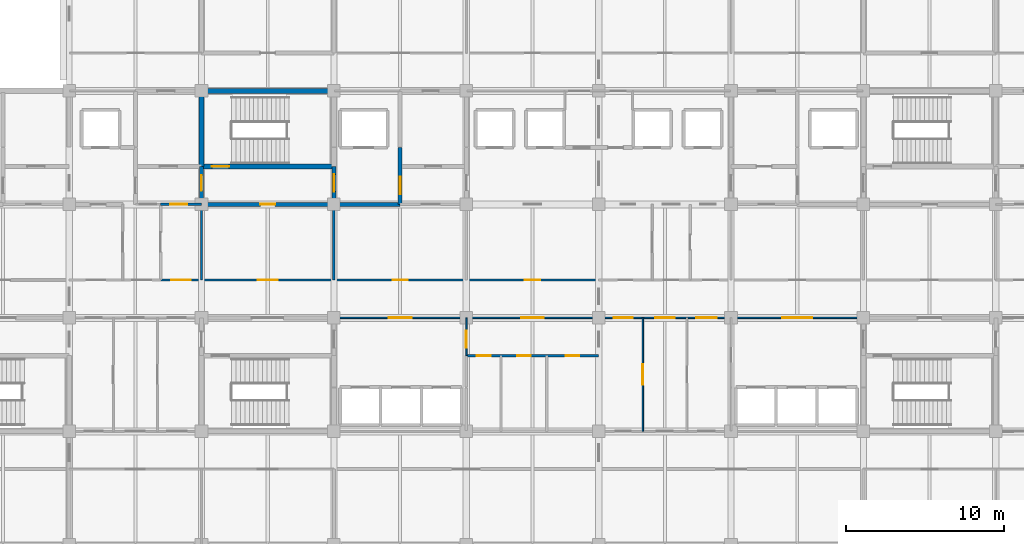
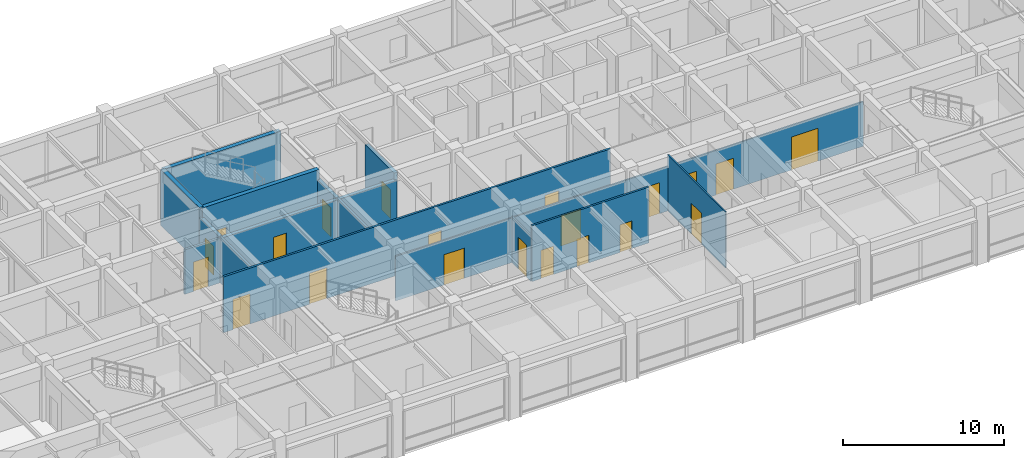
# One storey, part 19 of 30: 21 doors, 15 walls, 21 openings.
"""IFC4 building model written with IfcOpenShell, lengths in metres."""

from ifc_helpers import new_model, si_unit, direction, frame, frame_2d, origin, place, context, subcontext, project, spatial, rectangle, extrude, material, layer, layer_set, type_object, element, fill, save


model = new_model("IFC4")

# Units and contexts
model_context = context("Model", 3, precision=1e-05, world=origin(), true_north=direction((0.0, 1.0)))
body_context = subcontext(model_context, "Body", "Model", "MODEL_VIEW")
ifc_project = project(units=[si_unit("LENGTHUNIT", "METRE"), si_unit("AREAUNIT", "SQUARE_METRE"), si_unit("VOLUMEUNIT", "CUBIC_METRE"), si_unit("PLANEANGLEUNIT", "RADIAN"), si_unit("MASSUNIT", "GRAM", prefix="KILO")], contexts=[model_context])

# Site, building, storey
site_placement = place(None, origin())
site = spatial("IfcSite", under=ifc_project, at=site_placement, CompositionType="ELEMENT")
building_placement = place(site_placement, origin())
building = spatial("IfcBuilding", under=site, at=building_placement, Name="Chengyuan Square Courthouse", CompositionType="ELEMENT")
storey_placement = place(building_placement, frame((0.0, 0.0, 30.60009765625)))
storey = spatial("IfcBuildingStorey", under=building, at=storey_placement, Name="L07", CompositionType="ELEMENT", Elevation=30.60009765625)

# Wall, opening, door
ifc_material_1 = material(Name="Concrete C40", Category="concrete")
ifc_layer_1 = layer(ifc_material_1, 0.25)
ifc_layer_set_1 = layer_set([ifc_layer_1], Name="Concrete C40")
wall_type_1 = type_object("IfcWallType", Name="WL-FW1", PredefinedType="STANDARD", material=ifc_layer_set_1)
wall_1_placement = place(storey_placement, frame((58.800048828125, 100.800048828125, 0.0), z_axis=(0.0, 0.0, 1.0), x_axis=(1.0, 0.0, 0.0)))
wall_1 = element("IfcWall", 1, at=wall_1_placement, inside=storey, type_object=wall_type_1, Name="Interior Wall WL-L07-I2674", PredefinedType="STANDARD", context=body_context, shape_type="SweptSolid", body=[
    extrude(rectangle(XDim=12.599853515625, YDim=0.25, at=frame_2d((6.2998046875, 0.0))), origin(), (0.0, 0.0, 1.0), 3.389892578125),
])
opening_1_placement = place(wall_1_placement, frame((3.72509765625, 0.0, 0.0)))
opening_1 = element("IfcOpeningElement", 2, at=opening_1_placement, cuts=wall_1, Name="Opening DR-2311", PredefinedType="OPENING", context=body_context, shape_type="SweptSolid", body=[
    extrude(rectangle(XDim=0.949951171875, YDim=2.14990234375, at=frame_2d((0.47509765625, 1.074951171875))), frame((0.0, 0.136962890625, 0.0), z_axis=(0.0, -1.0, 0.0), x_axis=(1.0, 0.0, 0.0)), (0.0, 0.0, 1.0), 0.27392578125),
])
ifc_material_2 = material(Name="Steel Q235B Fire Door", Category="steel")
door_type_1 = type_object("IfcDoorType", Name="DT-12", OperationType="NOTDEFINED", PredefinedType="DOOR", material=ifc_material_2)
door_1_placement = place(opening_1_placement, origin())
door_1 = element("IfcDoor", 3, at=door_1_placement, inside=storey, type_object=door_type_1, Name="Interior Door DR-2311", OperationType="SINGLE_SWING_RIGHT", OverallHeight=2.14990234375, OverallWidth=0.949951171875, PredefinedType="DOOR", context=body_context, shape_type="SweptSolid", body=[
    extrude(rectangle(XDim=0.949951171875, YDim=2.14990234375, at=frame_2d((0.47509765625, 1.074951171875))), frame((0.0, 0.02490234375, 0.0), z_axis=(0.0, -1.0, 0.0), x_axis=(1.0, 0.0, 0.0)), (0.0, 0.0, 1.0), 0.050048828125),
])
fill(opening_1, door_1)

wall_2_placement = place(storey_placement, frame((58.800048828125, 100.800048828125, 0.0), z_axis=(0.0, 0.0, 1.0), x_axis=(0.0, 1.0, 0.0)))
wall_2 = element("IfcWall", 4, at=wall_2_placement, inside=storey, type_object=wall_type_1, Name="Interior Wall WL-L07-I2770", PredefinedType="STANDARD", context=body_context, shape_type="SweptSolid", body=[
    extrude(rectangle(XDim=2.39990234375, YDim=0.25, at=frame_2d((1.199951171875, 0.0))), origin(), (0.0, 0.0, 1.0), 3.489990234375),
])
opening_2_placement = place(wall_2_placement, frame((0.860107421875, 0.0, 0.0)))
opening_2 = element("IfcOpeningElement", 5, at=opening_2_placement, cuts=wall_2, Name="Opening DR-2310", PredefinedType="OPENING", context=body_context, shape_type="SweptSolid", body=[
    extrude(rectangle(XDim=1.0, YDim=2.199951171875, at=frame_2d((0.5, 1.10009765625))), frame((0.0, 0.136962890625, 0.0), z_axis=(0.0, -1.0, 0.0), x_axis=(1.0, 0.0, 0.0)), (0.0, 0.0, 1.0), 0.27392578125),
])
door_type_2 = type_object("IfcDoorType", Name="DT-11", OperationType="NOTDEFINED", PredefinedType="DOOR", material=ifc_material_2)
door_2_placement = place(opening_2_placement, origin())
door_2 = element("IfcDoor", 6, at=door_2_placement, inside=storey, type_object=door_type_2, Name="Interior Door DR-2310", OperationType="SINGLE_SWING_LEFT", OverallHeight=2.199951171875, OverallWidth=1.0, PredefinedType="DOOR", context=body_context, shape_type="SweptSolid", body=[
    extrude(rectangle(XDim=1.0, YDim=2.199951171875, at=frame_2d((0.5, 1.10009765625))), frame((0.0, 0.02490234375, 0.0), z_axis=(0.0, -1.0, 0.0), x_axis=(1.0, 0.0, 0.0)), (0.0, 0.0, 1.0), 0.050048828125),
])
fill(opening_2, door_2)

wall_3_placement = place(storey_placement, frame((67.199951171875, 100.800048828125, 0.0), z_axis=(0.0, 0.0, 1.0), x_axis=(0.0, 1.0, 0.0)))
wall_3 = element("IfcWall", 7, at=wall_3_placement, inside=storey, type_object=wall_type_1, Name="Interior Wall WL-L07-I2778", PredefinedType="STANDARD", context=body_context, shape_type="SweptSolid", body=[
    extrude(rectangle(XDim=2.39990234375, YDim=0.25, at=frame_2d((1.199951171875, 0.0))), origin(), (0.0, 0.0, 1.0), 3.489990234375),
])
opening_3_placement = place(wall_3_placement, frame((0.81005859375, 0.0, 0.0)))
opening_3 = element("IfcOpeningElement", 8, at=opening_3_placement, cuts=wall_3, Name="Opening DR-2309", PredefinedType="OPENING", context=body_context, shape_type="SweptSolid", body=[
    extrude(rectangle(XDim=1.10009765625, YDim=2.199951171875, at=frame_2d((0.550048828125, 1.10009765625))), frame((0.0, 0.136962890625, 0.0), z_axis=(0.0, -1.0, 0.0), x_axis=(1.0, 0.0, 0.0)), (0.0, 0.0, 1.0), 0.27392578125),
])
door_type_3 = type_object("IfcDoorType", Name="DT-10", OperationType="NOTDEFINED", PredefinedType="DOOR", material=ifc_material_2)
door_3_placement = place(opening_3_placement, origin())
door_3 = element("IfcDoor", 9, at=door_3_placement, inside=storey, type_object=door_type_3, Name="Interior Door DR-2309", OperationType="SINGLE_SWING_RIGHT", OverallHeight=2.199951171875, OverallWidth=1.10009765625, PredefinedType="DOOR", context=body_context, shape_type="SweptSolid", body=[
    extrude(rectangle(XDim=1.10009765625, YDim=2.199951171875, at=frame_2d((0.550048828125, 1.10009765625))), frame((0.0, 0.02490234375, 0.0), z_axis=(0.0, -1.0, 0.0), x_axis=(1.0, 0.0, 0.0)), (0.0, 0.0, 1.0), 0.050048828125),
])
fill(opening_3, door_3)

wall_4_placement = place(storey_placement, frame((71.39990234375, 100.800048828125, 0.0), z_axis=(0.0, 0.0, 1.0), x_axis=(0.0, 1.0, 0.0)))
wall_4 = element("IfcWall", 10, at=wall_4_placement, inside=storey, type_object=wall_type_1, Name="Interior Wall WL-L07-I2786", PredefinedType="STANDARD", context=body_context, shape_type="SweptSolid", body=[
    extrude(rectangle(XDim=3.599853515625, YDim=0.25, at=frame_2d((1.7998046875, 0.0))), origin(), (0.0, 0.0, 1.0), 3.889892578125),
])
opening_4_placement = place(wall_4_placement, frame((0.64990234375, 0.0, 0.0)))
opening_4 = element("IfcOpeningElement", 11, at=opening_4_placement, cuts=wall_4, Name="Opening DR-2327", PredefinedType="OPENING", context=body_context, shape_type="SweptSolid", body=[
    extrude(rectangle(XDim=1.10009765625, YDim=2.199951171875, at=frame_2d((0.550048828125, 1.10009765625))), frame((0.0, 0.136962890625, 0.0), z_axis=(0.0, -1.0, 0.0), x_axis=(1.0, 0.0, 0.0)), (0.0, 0.0, 1.0), 0.27392578125),
])
door_4_placement = place(opening_4_placement, origin())
door_4 = element("IfcDoor", 12, at=door_4_placement, inside=storey, type_object=door_type_3, Name="Interior Door DR-2327", OperationType="SINGLE_SWING_RIGHT", OverallHeight=2.199951171875, OverallWidth=1.10009765625, PredefinedType="DOOR", context=body_context, shape_type="SweptSolid", body=[
    extrude(rectangle(XDim=1.10009765625, YDim=2.199951171875, at=frame_2d((0.550048828125, 1.10009765625))), frame((0.0, 0.02490234375, 0.0), z_axis=(0.0, -1.0, 0.0), x_axis=(1.0, 0.0, 0.0)), (0.0, 0.0, 1.0), 0.050048828125),
])
fill(opening_4, door_4)

# Wall, openings, doors
ifc_material_3 = material(Name="Deliberation Room Sound-Insulated Partition")
ifc_layer_2 = layer(ifc_material_3, 0.14990234375)
ifc_layer_set_2 = layer_set([ifc_layer_2], Name="Deliberation Room Sound-Insulated Partition")
wall_type_2 = type_object("IfcWallType", Name="WL-PT3", PredefinedType="STANDARD", material=ifc_layer_set_2)
wall_5_placement = place(storey_placement, frame((56.199951171875, 96.0, 0.0), z_axis=(0.0, 0.0, 1.0), x_axis=(1.0, 0.0, 0.0)))
wall_5 = element("IfcWall", 13, at=wall_5_placement, inside=storey, type_object=wall_type_2, Name="Interior Wall WL-L07-I2660", PredefinedType="STANDARD", context=body_context, shape_type="SweptSolid", body=[
    extrude(rectangle(XDim=27.800048828125, YDim=0.14990234375, at=frame_2d((13.89990234375, 0.0))), origin(), (0.0, 0.0, 1.0), 4.239990234375),
])
opening_5_placement = place(wall_5_placement, frame((0.679931640625, 0.0, 0.0)))
opening_5 = element("IfcOpeningElement", 14, at=opening_5_placement, cuts=wall_5, Name="Opening DR-2400", PredefinedType="OPENING", context=body_context, shape_type="SweptSolid", body=[
    extrude(rectangle(XDim=1.239990234375, YDim=2.300048828125, at=frame_2d((0.6201171875, 1.14990234375))), frame((0.0, 0.0869140625, 0.0), z_axis=(0.0, -1.0, 0.0), x_axis=(1.0, 0.0, 0.0)), (0.0, 0.0, 1.0), 0.173828125),
])
opening_6_placement = place(wall_5_placement, frame((6.159912109375, 0.0, 0.0)))
opening_6 = element("IfcOpeningElement", 15, at=opening_6_placement, cuts=wall_5, Name="Opening DR-2401", PredefinedType="OPENING", context=body_context, shape_type="SweptSolid", body=[
    extrude(rectangle(XDim=1.280029296875, YDim=2.35009765625, at=frame_2d((0.64013671875, 1.175048828125))), frame((0.0, 0.0869140625, 0.0), z_axis=(0.0, -1.0, 0.0), x_axis=(1.0, 0.0, 0.0)), (0.0, 0.0, 1.0), 0.173828125),
])
opening_7_placement = place(wall_5_placement, frame((14.72998046875, 0.0, 0.0)))
opening_7 = element("IfcOpeningElement", 16, at=opening_7_placement, cuts=wall_5, Name="Opening DR-2402", PredefinedType="OPENING", context=body_context, shape_type="SweptSolid", body=[
    extrude(rectangle(XDim=0.93994140625, YDim=2.300048828125, at=frame_2d((0.469970703125, 1.14990234375))), frame((0.0, 0.0869140625, 0.0), z_axis=(0.0, -1.0, 0.0), x_axis=(1.0, 0.0, 0.0)), (0.0, 0.0, 1.0), 0.173828125),
])
opening_8_placement = place(wall_5_placement, frame((23.110107421875, 0.0, 0.0)))
opening_8 = element("IfcOpeningElement", 17, at=opening_8_placement, cuts=wall_5, Name="Opening DR-2403", PredefinedType="OPENING", context=body_context, shape_type="SweptSolid", body=[
    extrude(rectangle(XDim=0.97998046875, YDim=2.35009765625, at=frame_2d((0.489990234375, 1.175048828125))), frame((0.0, 0.0869140625, 0.0), z_axis=(0.0, -1.0, 0.0), x_axis=(1.0, 0.0, 0.0)), (0.0, 0.0, 1.0), 0.173828125),
])
ifc_material_4 = material(Name="Acoustic Solid-Core Timber Door", Category="wood")
door_type_4 = type_object("IfcDoorType", Name="DT-37", OperationType="NOTDEFINED", PredefinedType="DOOR", material=ifc_material_4)
door_5_placement = place(opening_5_placement, origin())
door_5 = element("IfcDoor", 18, at=door_5_placement, inside=storey, type_object=door_type_4, Name="Interior Door DR-2400", OperationType="SINGLE_SWING_RIGHT", OverallHeight=2.300048828125, OverallWidth=1.239990234375, PredefinedType="DOOR", context=body_context, shape_type="SweptSolid", body=[
    extrude(rectangle(XDim=1.239990234375, YDim=2.300048828125, at=frame_2d((0.6201171875, 1.14990234375))), frame((0.0, 0.02490234375, 0.0), z_axis=(0.0, -1.0, 0.0), x_axis=(1.0, 0.0, 0.0)), (0.0, 0.0, 1.0), 0.050048828125),
])
fill(opening_5, door_5)
door_type_5 = type_object("IfcDoorType", Name="DT-38", OperationType="NOTDEFINED", PredefinedType="DOOR", material=ifc_material_4)
door_6_placement = place(opening_6_placement, origin())
door_6 = element("IfcDoor", 19, at=door_6_placement, inside=storey, type_object=door_type_5, Name="Interior Door DR-2401", OperationType="SINGLE_SWING_LEFT", OverallHeight=2.35009765625, OverallWidth=1.280029296875, PredefinedType="DOOR", context=body_context, shape_type="SweptSolid", body=[
    extrude(rectangle(XDim=1.280029296875, YDim=2.35009765625, at=frame_2d((0.64013671875, 1.175048828125))), frame((0.0, 0.02490234375, 0.0), z_axis=(0.0, -1.0, 0.0), x_axis=(1.0, 0.0, 0.0)), (0.0, 0.0, 1.0), 0.050048828125),
])
fill(opening_6, door_6)
door_type_6 = type_object("IfcDoorType", Name="DT-39", OperationType="NOTDEFINED", PredefinedType="DOOR", material=ifc_material_4)
door_7_placement = place(opening_7_placement, origin())
door_7 = element("IfcDoor", 20, at=door_7_placement, inside=storey, type_object=door_type_6, Name="Interior Door DR-2402", OperationType="SINGLE_SWING_RIGHT", OverallHeight=2.300048828125, OverallWidth=0.93994140625, PredefinedType="DOOR", context=body_context, shape_type="SweptSolid", body=[
    extrude(rectangle(XDim=0.93994140625, YDim=2.300048828125, at=frame_2d((0.469970703125, 1.14990234375))), frame((0.0, 0.02490234375, 0.0), z_axis=(0.0, -1.0, 0.0), x_axis=(1.0, 0.0, 0.0)), (0.0, 0.0, 1.0), 0.050048828125),
])
fill(opening_7, door_7)
door_type_7 = type_object("IfcDoorType", Name="DT-40", OperationType="NOTDEFINED", PredefinedType="DOOR", material=ifc_material_4)
door_8_placement = place(opening_8_placement, origin())
door_8 = element("IfcDoor", 21, at=door_8_placement, inside=storey, type_object=door_type_7, Name="Interior Door DR-2403", OperationType="SINGLE_SWING_LEFT", OverallHeight=2.35009765625, OverallWidth=0.97998046875, PredefinedType="DOOR", context=body_context, shape_type="SweptSolid", body=[
    extrude(rectangle(XDim=0.97998046875, YDim=2.35009765625, at=frame_2d((0.489990234375, 1.175048828125))), frame((0.0, 0.02490234375, 0.0), z_axis=(0.0, -1.0, 0.0), x_axis=(1.0, 0.0, 0.0)), (0.0, 0.0, 1.0), 0.050048828125),
])
fill(opening_8, door_8)

# Wall, opening, door
wall_6_placement = place(storey_placement, frame((56.199951171875, 100.800048828125, 0.0), z_axis=(0.0, 0.0, 1.0), x_axis=(1.0, 0.0, 0.0)))
wall_6 = element("IfcWall", 22, at=wall_6_placement, inside=storey, type_object=wall_type_2, Name="Interior Wall WL-L07-I2673", PredefinedType="STANDARD", context=body_context, shape_type="SweptSolid", body=[
    extrude(rectangle(XDim=2.60009765625, YDim=0.14990234375, at=frame_2d((1.300048828125, 0.0))), origin(), (0.0, 0.0, 1.0), 3.389892578125),
])
opening_9_placement = place(wall_6_placement, frame((0.60009765625, 0.0, 0.0)))
opening_9 = element("IfcOpeningElement", 23, at=opening_9_placement, cuts=wall_6, Name="Opening DR-2362", PredefinedType="OPENING", context=body_context, shape_type="SweptSolid", body=[
    extrude(rectangle(XDim=1.080078125, YDim=2.25, at=frame_2d((0.5400390625, 1.125))), frame((0.0, 0.0869140625, 0.0), z_axis=(0.0, -1.0, 0.0), x_axis=(1.0, 0.0, 0.0)), (0.0, 0.0, 1.0), 0.173828125),
])
door_type_8 = type_object("IfcDoorType", Name="DT-33", OperationType="NOTDEFINED", PredefinedType="DOOR", material=ifc_material_4)
door_9_placement = place(opening_9_placement, origin())
door_9 = element("IfcDoor", 24, at=door_9_placement, inside=storey, type_object=door_type_8, Name="Interior Door DR-2362", OperationType="SINGLE_SWING_RIGHT", OverallHeight=2.25, OverallWidth=1.080078125, PredefinedType="DOOR", context=body_context, shape_type="SweptSolid", body=[
    extrude(rectangle(XDim=1.080078125, YDim=2.25, at=frame_2d((0.5400390625, 1.125))), frame((0.0, 0.02490234375, 0.0), z_axis=(0.0, -1.0, 0.0), x_axis=(1.0, 0.0, 0.0)), (0.0, 0.0, 1.0), 0.050048828125),
])
fill(opening_9, door_9)

# Walls
for number, where, z_axis, x_axis, name in (
    (25, (58.800048828125, 96.0, 0.0), (0.0, 0.0, 1.0), (0.0, 1.0, 0.0), "Interior Wall WL-L07-I2769"),
    (26, (67.199951171875, 96.0, 0.0), (0.0, 0.0, 1.0), (0.0, 1.0, 0.0), "Interior Wall WL-L07-I2777"),
):
    element("IfcWall", number, at=place(storey_placement, frame(where, z_axis=z_axis, x_axis=x_axis)), inside=storey, type_object=wall_type_2, Name=name, PredefinedType="STANDARD", context=body_context, shape_type="SweptSolid", body=[
        extrude(rectangle(XDim=4.800048828125, YDim=0.14990234375, at=frame_2d((2.39990234375, 0.0))), origin(), (0.0, 0.0, 1.0), 3.489990234375),
    ])

# Wall, openings, doors
ifc_material_5 = material(Name="Moisture-Resistant Masonry Wet-Room Partition", Category="masonry")
ifc_layer_3 = layer(ifc_material_5, 0.139892578125)
ifc_layer_set_3 = layer_set([ifc_layer_3], Name="Moisture-Resistant Masonry Wet-Room Partition")
wall_type_3 = type_object("IfcWallType", Name="WL-PT4", PredefinedType="STANDARD", material=ifc_layer_set_3)
wall_7_placement = place(storey_placement, frame((75.60009765625, 91.199951171875, 0.0), z_axis=(0.0, 0.0, 1.0), x_axis=(1.0, 0.0, 0.0)))
wall_7 = element("IfcWall", 27, at=wall_7_placement, inside=storey, type_object=wall_type_3, Name="Interior Wall WL-L07-I2645", PredefinedType="STANDARD", context=body_context, shape_type="SweptSolid", body=[
    extrude(rectangle(XDim=8.39990234375, YDim=0.139892578125, at=frame_2d((4.199951171875, 0.0))), origin(), (0.0, 0.0, 1.0), 4.239990234375),
])
opening_10_placement = place(wall_7_placement, frame((0.64990234375, 0.0, 0.0)))
opening_10 = element("IfcOpeningElement", 28, at=opening_10_placement, cuts=wall_7, Name="Opening DR-2382", PredefinedType="OPENING", context=body_context, shape_type="SweptSolid", body=[
    extrude(rectangle(XDim=0.89990234375, YDim=2.14990234375, at=frame_2d((0.449951171875, 1.074951171875))), frame((0.0, 0.08203125, 0.0), z_axis=(0.0, -1.0, 0.0), x_axis=(1.0, 0.0, 0.0)), (0.0, 0.0, 1.0), 0.163818359375),
])
opening_11_placement = place(wall_7_placement, frame((3.219970703125, 0.0, 0.0)))
opening_11 = element("IfcOpeningElement", 29, at=opening_11_placement, cuts=wall_7, Name="Opening DR-2383", PredefinedType="OPENING", context=body_context, shape_type="SweptSolid", body=[
    extrude(rectangle(XDim=0.860107421875, YDim=2.10009765625, at=frame_2d((0.43017578125, 1.050048828125))), frame((0.0, 0.08203125, 0.0), z_axis=(0.0, -1.0, 0.0), x_axis=(1.0, 0.0, 0.0)), (0.0, 0.0, 1.0), 0.163818359375),
])
opening_12_placement = place(wall_7_placement, frame((6.320068359375, 0.0, 0.0)))
opening_12 = element("IfcOpeningElement", 30, at=opening_12_placement, cuts=wall_7, Name="Opening DR-2384", PredefinedType="OPENING", context=body_context, shape_type="SweptSolid", body=[
    extrude(rectangle(XDim=0.860107421875, YDim=2.10009765625, at=frame_2d((0.43017578125, 1.050048828125))), frame((0.0, 0.08203125, 0.0), z_axis=(0.0, -1.0, 0.0), x_axis=(1.0, 0.0, 0.0)), (0.0, 0.0, 1.0), 0.163818359375),
])
door_type_9 = type_object("IfcDoorType", Name="DT-27", OperationType="NOTDEFINED", PredefinedType="DOOR", material=ifc_material_4)
door_10_placement = place(opening_10_placement, origin())
door_10 = element("IfcDoor", 31, at=door_10_placement, inside=storey, type_object=door_type_9, Name="Interior Door DR-2382", OperationType="SINGLE_SWING_RIGHT", OverallHeight=2.14990234375, OverallWidth=0.89990234375, PredefinedType="DOOR", context=body_context, shape_type="SweptSolid", body=[
    extrude(rectangle(XDim=0.89990234375, YDim=2.14990234375, at=frame_2d((0.449951171875, 1.074951171875))), frame((0.0, 0.02490234375, 0.0), z_axis=(0.0, -1.0, 0.0), x_axis=(1.0, 0.0, 0.0)), (0.0, 0.0, 1.0), 0.050048828125),
])
fill(opening_10, door_10)
door_type_10 = type_object("IfcDoorType", Name="DT-28", OperationType="NOTDEFINED", PredefinedType="DOOR", material=ifc_material_4)
door_11_placement = place(opening_11_placement, origin())
door_11 = element("IfcDoor", 32, at=door_11_placement, inside=storey, type_object=door_type_10, Name="Interior Door DR-2383", OperationType="SINGLE_SWING_LEFT", OverallHeight=2.10009765625, OverallWidth=0.860107421875, PredefinedType="DOOR", context=body_context, shape_type="SweptSolid", body=[
    extrude(rectangle(XDim=0.860107421875, YDim=2.10009765625, at=frame_2d((0.43017578125, 1.050048828125))), frame((0.0, 0.02490234375, 0.0), z_axis=(0.0, -1.0, 0.0), x_axis=(1.0, 0.0, 0.0)), (0.0, 0.0, 1.0), 0.050048828125),
])
fill(opening_11, door_11)
door_12_placement = place(opening_12_placement, origin())
door_12 = element("IfcDoor", 33, at=door_12_placement, inside=storey, type_object=door_type_10, Name="Interior Door DR-2384", OperationType="SINGLE_SWING_RIGHT", OverallHeight=2.10009765625, OverallWidth=0.860107421875, PredefinedType="DOOR", context=body_context, shape_type="SweptSolid", body=[
    extrude(rectangle(XDim=0.860107421875, YDim=2.10009765625, at=frame_2d((0.43017578125, 1.050048828125))), frame((0.0, 0.02490234375, 0.0), z_axis=(0.0, -1.0, 0.0), x_axis=(1.0, 0.0, 0.0)), (0.0, 0.0, 1.0), 0.050048828125),
])
fill(opening_12, door_12)

ifc_material_6 = material(Name="Gypsum Plasterboard Acoustic Stud Partition")
ifc_layer_4 = layer(ifc_material_6, 0.10009765625)
ifc_layer_set_4 = layer_set([ifc_layer_4], Name="Gypsum Plasterboard Acoustic Stud Partition")
wall_type_4 = type_object("IfcWallType", Name="WL-PT6", PredefinedType="STANDARD", material=ifc_layer_set_4)
wall_8_placement = place(storey_placement, frame((67.199951171875, 93.60009765625, 0.0), z_axis=(0.0, 0.0, 1.0), x_axis=(1.0, 0.0, 0.0)))
wall_8 = element("IfcWall", 34, at=wall_8_placement, inside=storey, type_object=wall_type_4, Name="Interior Wall WL-L07-I2652", PredefinedType="STANDARD", context=body_context, shape_type="SweptSolid", body=[
    extrude(rectangle(XDim=33.60009765625, YDim=0.10009765625, at=frame_2d((16.800048828125, 0.0))), origin(), (0.0, 0.0, 1.0), 3.389892578125),
])
opening_13_placement = place(wall_8_placement, frame((3.47509765625, 0.0, 0.0)))
opening_13 = element("IfcOpeningElement", 35, at=opening_13_placement, cuts=wall_8, Name="Opening DR-2355", PredefinedType="OPENING", context=body_context, shape_type="SweptSolid", body=[
    extrude(rectangle(XDim=1.449951171875, YDim=2.300048828125, at=frame_2d((0.72509765625, 1.14990234375))), frame((0.0, 0.06201171875, 0.0), z_axis=(0.0, -1.0, 0.0), x_axis=(1.0, 0.0, 0.0)), (0.0, 0.0, 1.0), 0.1240234375),
])
opening_14_placement = place(wall_8_placement, frame((28.449951171875, 0.0, 0.0)))
opening_14 = element("IfcOpeningElement", 36, at=opening_14_placement, cuts=wall_8, Name="Opening DR-2356", PredefinedType="OPENING", context=body_context, shape_type="SweptSolid", body=[
    extrude(rectangle(XDim=1.89990234375, YDim=2.5, at=frame_2d((0.949951171875, 1.25))), frame((0.0, 0.06201171875, 0.0), z_axis=(0.0, -1.0, 0.0), x_axis=(1.0, 0.0, 0.0)), (0.0, 0.0, 1.0), 0.1240234375),
])
opening_15_placement = place(wall_8_placement, frame((11.875, 0.0, 0.0)))
opening_15 = element("IfcOpeningElement", 37, at=opening_15_placement, cuts=wall_8, Name="Opening DR-2385", PredefinedType="OPENING", context=body_context, shape_type="SweptSolid", body=[
    extrude(rectangle(XDim=1.449951171875, YDim=2.300048828125, at=frame_2d((0.72509765625, 1.14990234375))), frame((0.0, 0.06201171875, 0.0), z_axis=(0.0, -1.0, 0.0), x_axis=(1.0, 0.0, 0.0)), (0.0, 0.0, 1.0), 0.1240234375),
])
opening_16_placement = place(wall_8_placement, frame((17.760009765625, 0.0, 0.0)))
opening_16 = element("IfcOpeningElement", 38, at=opening_16_placement, cuts=wall_8, Name="Opening DR-2416", PredefinedType="OPENING", context=body_context, shape_type="SweptSolid", body=[
    extrude(rectangle(XDim=1.199951171875, YDim=2.35009765625, at=frame_2d((0.60009765625, 1.175048828125))), frame((0.0, 0.06201171875, 0.0), z_axis=(0.0, -1.0, 0.0), x_axis=(1.0, 0.0, 0.0)), (0.0, 0.0, 1.0), 0.1240234375),
])
opening_17_placement = place(wall_8_placement, frame((20.3798828125, 0.0, 0.0)))
opening_17 = element("IfcOpeningElement", 39, at=opening_17_placement, cuts=wall_8, Name="Opening DR-2417", PredefinedType="OPENING", context=body_context, shape_type="SweptSolid", body=[
    extrude(rectangle(XDim=1.239990234375, YDim=2.300048828125, at=frame_2d((0.6201171875, 1.14990234375))), frame((0.0, 0.06201171875, 0.0), z_axis=(0.0, -1.0, 0.0), x_axis=(1.0, 0.0, 0.0)), (0.0, 0.0, 1.0), 0.1240234375),
])
opening_18_placement = place(wall_8_placement, frame((23.0, 0.0, 0.0)))
opening_18 = element("IfcOpeningElement", 40, at=opening_18_placement, cuts=wall_8, Name="Opening DR-2418", PredefinedType="OPENING", context=body_context, shape_type="SweptSolid", body=[
    extrude(rectangle(XDim=1.280029296875, YDim=2.35009765625, at=frame_2d((0.64013671875, 1.175048828125))), frame((0.0, 0.06201171875, 0.0), z_axis=(0.0, -1.0, 0.0), x_axis=(1.0, 0.0, 0.0)), (0.0, 0.0, 1.0), 0.1240234375),
])
ifc_material_7 = material(Name="Acoustic Larch Veneer Double Door")
door_type_11 = type_object("IfcDoorType", Name="DT-25", OperationType="DOUBLE_DOOR_SINGLE_SWING", PredefinedType="DOOR", material=ifc_material_7)
door_13_placement = place(opening_13_placement, frame((1.449951171875, 0.0, 0.0), z_axis=(0.0, 0.0, 1.0), x_axis=(-1.0, 0.0, 0.0)))
door_13 = element("IfcDoor", 41, at=door_13_placement, inside=storey, type_object=door_type_11, Name="Interior Door DR-2355", OperationType="DOUBLE_DOOR_SINGLE_SWING", OverallHeight=2.300048828125, OverallWidth=1.449951171875, PredefinedType="DOOR", context=body_context, shape_type="SweptSolid", body=[
    extrude(rectangle(XDim=1.449951171875, YDim=2.300048828125, at=frame_2d((0.72509765625, 1.14990234375))), frame((0.0, 0.02490234375, 0.0), z_axis=(0.0, -1.0, 0.0), x_axis=(1.0, 0.0, 0.0)), (0.0, 0.0, 1.0), 0.050048828125),
])
fill(opening_13, door_13)
door_14_placement = place(opening_15_placement, frame((1.449951171875, 0.0, 0.0), z_axis=(0.0, 0.0, 1.0), x_axis=(-1.0, 0.0, 0.0)))
door_14 = element("IfcDoor", 42, at=door_14_placement, inside=storey, type_object=door_type_11, Name="Interior Door DR-2385", OperationType="DOUBLE_DOOR_SINGLE_SWING", OverallHeight=2.300048828125, OverallWidth=1.449951171875, PredefinedType="DOOR", context=body_context, shape_type="SweptSolid", body=[
    extrude(rectangle(XDim=1.449951171875, YDim=2.300048828125, at=frame_2d((0.72509765625, 1.14990234375))), frame((0.0, 0.02490234375, 0.0), z_axis=(0.0, -1.0, 0.0), x_axis=(1.0, 0.0, 0.0)), (0.0, 0.0, 1.0), 0.050048828125),
])
fill(opening_15, door_14)
door_type_12 = type_object("IfcDoorType", Name="DT-26", OperationType="DOUBLE_DOOR_SINGLE_SWING", PredefinedType="DOOR", material=ifc_material_7)
door_15_placement = place(opening_14_placement, frame((1.89990234375, 0.0, 0.0), z_axis=(0.0, 0.0, 1.0), x_axis=(-1.0, 0.0, 0.0)))
door_15 = element("IfcDoor", 43, at=door_15_placement, inside=storey, type_object=door_type_12, Name="Interior Door DR-2356", OperationType="DOUBLE_DOOR_SINGLE_SWING", OverallHeight=2.5, OverallWidth=1.89990234375, PredefinedType="DOOR", context=body_context, shape_type="SweptSolid", body=[
    extrude(rectangle(XDim=1.89990234375, YDim=2.5, at=frame_2d((0.949951171875, 1.25))), frame((0.0, 0.02490234375, 0.0), z_axis=(0.0, -1.0, 0.0), x_axis=(1.0, 0.0, 0.0)), (0.0, 0.0, 1.0), 0.050048828125),
])
fill(opening_14, door_15)
door_type_13 = type_object("IfcDoorType", Name="DT-36", OperationType="NOTDEFINED", PredefinedType="DOOR", material=ifc_material_4)
door_16_placement = place(opening_16_placement, origin())
door_16 = element("IfcDoor", 44, at=door_16_placement, inside=storey, type_object=door_type_13, Name="Interior Door DR-2416", OperationType="SINGLE_SWING_RIGHT", OverallHeight=2.35009765625, OverallWidth=1.199951171875, PredefinedType="DOOR", context=body_context, shape_type="SweptSolid", body=[
    extrude(rectangle(XDim=1.199951171875, YDim=2.35009765625, at=frame_2d((0.60009765625, 1.175048828125))), frame((0.0, 0.02490234375, 0.0), z_axis=(0.0, -1.0, 0.0), x_axis=(1.0, 0.0, 0.0)), (0.0, 0.0, 1.0), 0.050048828125),
])
fill(opening_16, door_16)
door_17_placement = place(opening_17_placement, origin())
door_17 = element("IfcDoor", 45, at=door_17_placement, inside=storey, type_object=door_type_4, Name="Interior Door DR-2417", OperationType="SINGLE_SWING_LEFT", OverallHeight=2.300048828125, OverallWidth=1.239990234375, PredefinedType="DOOR", context=body_context, shape_type="SweptSolid", body=[
    extrude(rectangle(XDim=1.239990234375, YDim=2.300048828125, at=frame_2d((0.6201171875, 1.14990234375))), frame((0.0, 0.02490234375, 0.0), z_axis=(0.0, -1.0, 0.0), x_axis=(1.0, 0.0, 0.0)), (0.0, 0.0, 1.0), 0.050048828125),
])
fill(opening_17, door_17)
door_18_placement = place(opening_18_placement, origin())
door_18 = element("IfcDoor", 46, at=door_18_placement, inside=storey, type_object=door_type_5, Name="Interior Door DR-2418", OperationType="SINGLE_SWING_RIGHT", OverallHeight=2.35009765625, OverallWidth=1.280029296875, PredefinedType="DOOR", context=body_context, shape_type="SweptSolid", body=[
    extrude(rectangle(XDim=1.280029296875, YDim=2.35009765625, at=frame_2d((0.64013671875, 1.175048828125))), frame((0.0, 0.02490234375, 0.0), z_axis=(0.0, -1.0, 0.0), x_axis=(1.0, 0.0, 0.0)), (0.0, 0.0, 1.0), 0.050048828125),
])
fill(opening_18, door_18)

# Wall, opening, door
wall_9_placement = place(storey_placement, frame((75.60009765625, 91.199951171875, 0.0), z_axis=(0.0, 0.0, 1.0), x_axis=(0.0, 1.0, 0.0)))
wall_9 = element("IfcWall", 47, at=wall_9_placement, inside=storey, type_object=wall_type_4, Name="Interior Wall WL-L07-I2792", PredefinedType="STANDARD", context=body_context, shape_type="SweptSolid", body=[
    extrude(rectangle(XDim=2.400146484375, YDim=0.10009765625, at=frame_2d((1.2001953125, 0.0))), origin(), (0.0, 0.0, 1.0), 3.489990234375),
])
opening_19_placement = place(wall_9_placement, frame((0.510009765625, 0.0, 0.0)))
opening_19 = element("IfcOpeningElement", 48, at=opening_19_placement, cuts=wall_9, Name="Opening DR-2354", PredefinedType="OPENING", context=body_context, shape_type="SweptSolid", body=[
    extrude(rectangle(XDim=1.06005859375, YDim=2.39990234375, at=frame_2d((0.530029296875, 1.199951171875))), frame((0.0, 0.06201171875, 0.0), z_axis=(0.0, -1.0, 0.0), x_axis=(1.0, 0.0, 0.0)), (0.0, 0.0, 1.0), 0.1240234375),
])
door_type_14 = type_object("IfcDoorType", Name="DT-42", OperationType="NOTDEFINED", PredefinedType="DOOR", material=ifc_material_4)
door_19_placement = place(opening_19_placement, origin())
door_19 = element("IfcDoor", 49, at=door_19_placement, inside=storey, type_object=door_type_14, Name="Interior Door DR-2354", OperationType="SINGLE_SWING_RIGHT", OverallHeight=2.39990234375, OverallWidth=1.06005859375, PredefinedType="DOOR", context=body_context, shape_type="SweptSolid", body=[
    extrude(rectangle(XDim=1.06005859375, YDim=2.39990234375, at=frame_2d((0.530029296875, 1.199951171875))), frame((0.0, 0.02490234375, 0.0), z_axis=(0.0, -1.0, 0.0), x_axis=(1.0, 0.0, 0.0)), (0.0, 0.0, 1.0), 0.050048828125),
])
fill(opening_19, door_19)

wall_10_placement = place(storey_placement, frame((86.800048828125, 86.39990234375, 0.0), z_axis=(0.0, 0.0, 1.0), x_axis=(0.0, 1.0, 0.0)))
wall_10 = element("IfcWall", 50, at=wall_10_placement, inside=storey, type_object=wall_type_4, Name="Interior Wall WL-L07-I2807", PredefinedType="STANDARD", context=body_context, shape_type="SweptSolid", body=[
    extrude(rectangle(XDim=7.2001953125, YDim=0.10009765625, at=frame_2d((3.60009765625, 0.0))), origin(), (0.0, 0.0, 1.0), 4.239990234375),
])
opening_20_placement = place(wall_10_placement, frame((2.9599609375, 0.0, 0.0)))
opening_20 = element("IfcOpeningElement", 51, at=opening_20_placement, cuts=wall_10, Name="Opening DR-2452", PredefinedType="OPENING", context=body_context, shape_type="SweptSolid", body=[
    extrude(rectangle(XDim=1.280029296875, YDim=2.35009765625, at=frame_2d((0.64013671875, 1.175048828125))), frame((0.0, 0.06201171875, 0.0), z_axis=(0.0, -1.0, 0.0), x_axis=(1.0, 0.0, 0.0)), (0.0, 0.0, 1.0), 0.1240234375),
])
door_20_placement = place(opening_20_placement, origin())
door_20 = element("IfcDoor", 52, at=door_20_placement, inside=storey, type_object=door_type_5, Name="Interior Door DR-2452", OperationType="SINGLE_SWING_RIGHT", OverallHeight=2.35009765625, OverallWidth=1.280029296875, PredefinedType="DOOR", context=body_context, shape_type="SweptSolid", body=[
    extrude(rectangle(XDim=1.280029296875, YDim=2.35009765625, at=frame_2d((0.64013671875, 1.175048828125))), frame((0.0, 0.02490234375, 0.0), z_axis=(0.0, -1.0, 0.0), x_axis=(1.0, 0.0, 0.0)), (0.0, 0.0, 1.0), 0.050048828125),
])
fill(opening_20, door_20)

ifc_layer_5 = layer(ifc_material_1, 0.300048828125)
ifc_layer_set_5 = layer_set([ifc_layer_5], Name="Concrete C40")
wall_type_5 = type_object("IfcWallType", Name="WL-SW2", PredefinedType="SHEAR", material=ifc_layer_set_5)
wall_11_placement = place(storey_placement, frame((58.800048828125, 103.199951171875, 0.0), z_axis=(0.0, 0.0, 1.0), x_axis=(1.0, 0.0, 0.0)))
wall_11 = element("IfcWall", 53, at=wall_11_placement, inside=storey, type_object=wall_type_5, Name="Interior Wall WL-L07-I2689", PredefinedType="SHEAR", context=body_context, shape_type="SweptSolid", body=[
    extrude(rectangle(XDim=8.39990234375, YDim=0.300048828125, at=frame_2d((4.199951171875, 0.0))), origin(), (0.0, 0.0, 1.0), 4.239990234375),
])
opening_21_placement = place(wall_11_placement, frame((0.64990234375, 0.0, 0.0)))
opening_21 = element("IfcOpeningElement", 54, at=opening_21_placement, cuts=wall_11, Name="Opening DR-2303", PredefinedType="OPENING", context=body_context, shape_type="SweptSolid", body=[
    extrude(rectangle(XDim=1.10009765625, YDim=2.199951171875, at=frame_2d((0.550048828125, 1.10009765625))), frame((0.0, 0.162109375, 0.0), z_axis=(0.0, -1.0, 0.0), x_axis=(1.0, 0.0, 0.0)), (0.0, 0.0, 1.0), 0.323974609375),
])
door_21_placement = place(opening_21_placement, origin())
door_21 = element("IfcDoor", 55, at=door_21_placement, inside=storey, type_object=door_type_3, Name="Smoke-Proof Stairwell Fire Door ST-1 DR-2303", OperationType="SINGLE_SWING_RIGHT", OverallHeight=2.199951171875, OverallWidth=1.10009765625, PredefinedType="DOOR", context=body_context, shape_type="SweptSolid", body=[
    extrude(rectangle(XDim=1.10009765625, YDim=2.199951171875, at=frame_2d((0.550048828125, 1.10009765625))), frame((0.0, 0.02490234375, 0.0), z_axis=(0.0, -1.0, 0.0), x_axis=(1.0, 0.0, 0.0)), (0.0, 0.0, 1.0), 0.050048828125),
])
fill(opening_21, door_21)

# Walls
wall_12_placement = place(storey_placement, frame((58.800048828125, 108.0, 0.0), z_axis=(0.0, 0.0, 1.0), x_axis=(1.0, 0.0, 0.0)))
element("IfcWall", 56, at=wall_12_placement, inside=storey, type_object=wall_type_5, Name="Interior Wall WL-L07-I2721", PredefinedType="SHEAR", context=body_context, shape_type="SweptSolid", body=[
    extrude(rectangle(XDim=8.39990234375, YDim=0.300048828125, at=frame_2d((4.199951171875, 0.0))), origin(), (0.0, 0.0, 1.0), 4.239990234375),
])
wall_13_placement = place(storey_placement, frame((58.800048828125, 103.199951171875, 0.0), z_axis=(0.0, 0.0, 1.0), x_axis=(0.0, 1.0, 0.0)))
element("IfcWall", 57, at=wall_13_placement, inside=storey, type_object=wall_type_5, Name="Interior Wall WL-L07-I2771", PredefinedType="SHEAR", context=body_context, shape_type="SweptSolid", body=[
    extrude(rectangle(XDim=4.800048828125, YDim=0.300048828125, at=frame_2d((2.39990234375, 0.0))), origin(), (0.0, 0.0, 1.0), 4.239990234375),
])

save(model, "model.ifc")
